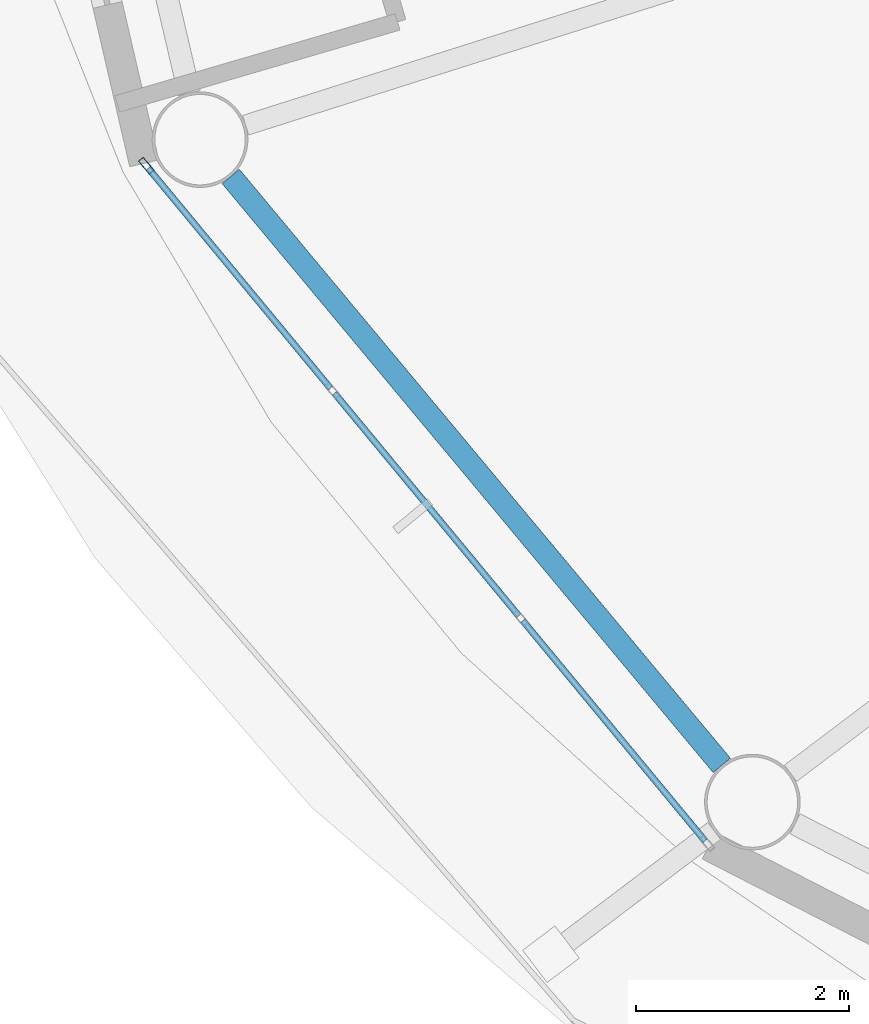
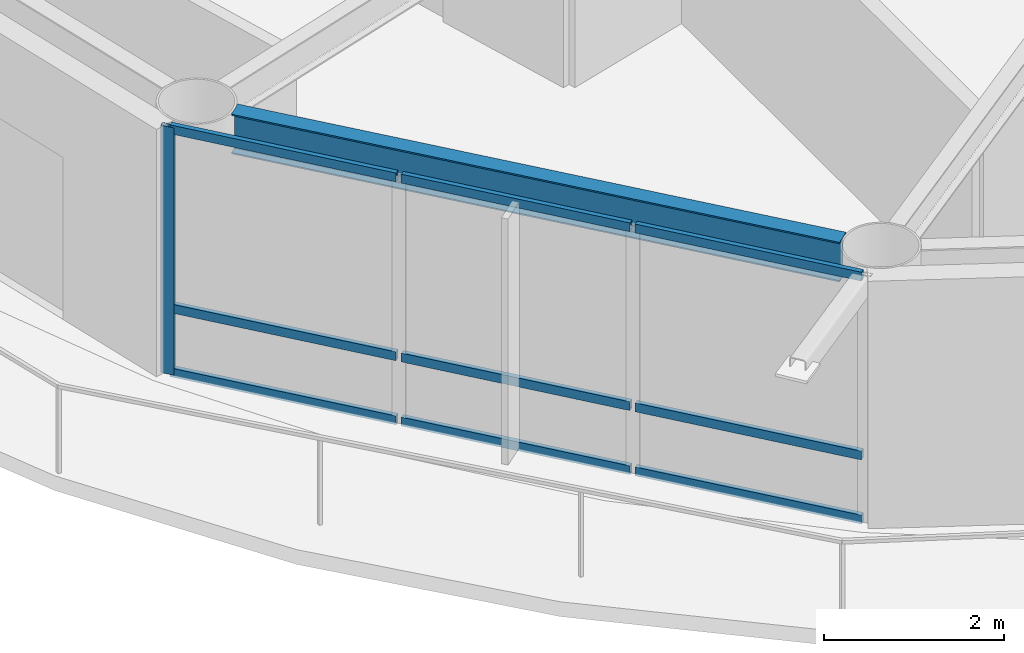
# One storey, part 3 of 23: 10 members, 1 beam, 1 element without a shape of its own.
"""IFC4 building model written with IfcOpenShell, lengths in metres."""

from ifc_helpers import new_model, si_unit, direction, frame, origin, origin_2d, place, context, subcontext, project, spatial, hollow_rectangle, i_section, extrude, material, layer, layer_set, material_profile, profile_set, type_object, element, aggregate, save


model = new_model("IFC4")

# Units and contexts
model_context = context("Model", 3, precision=1e-05, world=origin(), true_north=direction((0.0, 1.0)))
body_context = subcontext(model_context, "Body", "Model", "MODEL_VIEW")
ifc_project = project(units=[si_unit("LENGTHUNIT", "METRE"), si_unit("AREAUNIT", "SQUARE_METRE"), si_unit("VOLUMEUNIT", "CUBIC_METRE"), si_unit("PLANEANGLEUNIT", "RADIAN"), si_unit("MASSUNIT", "GRAM", prefix="KILO")], contexts=[model_context])

# Site, building, storey
site_placement = place(None, origin())
site = spatial("IfcSite", under=ifc_project, at=site_placement, CompositionType="ELEMENT")
building_placement = place(site_placement, origin())
building = spatial("IfcBuilding", under=site, at=building_placement, Name="Sarneth Arch Tower", CompositionType="ELEMENT")
storey_placement = place(building_placement, frame((0.0, 0.0, 231.60009765625)))
storey = spatial("IfcBuildingStorey", under=building, at=storey_placement, Name="L59", CompositionType="ELEMENT", Elevation=231.60009765625)

# Beam
ifc_material_1 = material(Name="Steel S355", Category="steel")
ifc_material_profile_1 = material_profile(ifc_material_1, i_section(OverallWidth=0.2109375, OverallDepth=0.5390625, WebThickness=0.01171875, FlangeThickness=0.018798828125, FilletRadius=0.01806640625, at=origin_2d()), Name="W530x109")
ifc_profile_set_1 = profile_set([ifc_material_profile_1], Name="Steel S355")
beam_type = type_object("IfcBeamType", Name="BM-RAD-530B", PredefinedType="BEAM", material=ifc_profile_set_1)
beam_placement = place(storey_placement, frame((25.119384765625, 34.306884765625, 3.09033203125), z_axis=(0.640390876881, -0.768049168222, 0.0), x_axis=(0.768049168222, 0.640390876881, 0.0)))
element("IfcBeam", 1, at=beam_placement, inside=storey, type_object=beam_type, Name="L59 Perimeter spandrel beam 10", PredefinedType="BEAM", context=body_context, shape_type="SweptSolid", body=[
    extrude(i_section(OverallWidth=0.2109375, OverallDepth=0.5390625, WebThickness=0.01171875, FlangeThickness=0.018798828125, FilletRadius=0.01806640625, at=origin_2d()), origin(), (0.0, 0.0, 1.0), 7.2099609375),
])

# Curtain wall, members
ifc_material_2 = material(Name="Anodised aluminium Type AA25 and solar-control low-e laminated IGU", Category="aluminium")
ifc_layer = layer(ifc_material_2, 0.179931640625)
ifc_layer_set = layer_set([ifc_layer], Name="Anodised aluminium Type AA25 and solar-control low-e laminated IGU")
curtain_wall_type = type_object("IfcCurtainWallType", Name="CW-RES-HIGH", PredefinedType="NOTDEFINED", material=ifc_layer_set)
curtain_wall_placement = place(storey_placement, origin())
curtain_wall = element("IfcCurtainWall", 2, at=curtain_wall_placement, inside=storey, type_object=curtain_wall_type, Name="L59 Unitised curtain wall facet 10", PredefinedType="NOTDEFINED")
ifc_material_3 = material(Name="Anodised Aluminium 6063-T6", Category="aluminium")
ifc_material_profile_2 = material_profile(ifc_material_3, hollow_rectangle(XDim=0.06005859375, YDim=0.159912109375, WallThickness=0.00390625, at=origin_2d()), Name="AL-MULL-160x60x4")
ifc_profile_set_2 = profile_set([ifc_material_profile_2], Name="Anodised Aluminium 6063-T6")
member_type_1 = type_object("IfcMemberType", Name="CW-MULLION", PredefinedType="MULLION", material=ifc_profile_set_2)
member_1_placement = place(storey_placement, frame((24.325439453125, 34.407470703125, 0.0), z_axis=(0.0, 0.0, 1.0), x_axis=(0.770359245933, 0.637610094184, 0.0)))
member_1 = element("IfcMember", 3, at=member_1_placement, type_object=member_type_1, Name="CW-SYS-6 mullion 1", PredefinedType="MULLION", context=body_context, shape_type="SweptSolid", body=[
    extrude(hollow_rectangle(XDim=0.06005859375, YDim=0.159912109375, WallThickness=0.00390625, at=origin_2d()), origin(), (0.0, 0.0, 1.0), 3.35986328125),
])
ifc_material_4 = material(Name="Anodised Aluminium 6063-T6", Category="aluminium")
ifc_material_profile_3 = material_profile(ifc_material_4, hollow_rectangle(XDim=0.06005859375, YDim=0.1201171875, WallThickness=0.00390625, at=origin_2d()), Name="AL-TRAN-120x60x4")
ifc_profile_set_3 = profile_set([ifc_material_profile_3], Name="Anodised Aluminium 6063-T6")
member_type_2 = type_object("IfcMemberType", Name="CW-TRANSOM", PredefinedType="USERDEFINED", material=ifc_profile_set_3)
member_2_placement = place(storey_placement, frame((24.344482421875, 34.38427734375, 0.02978515625), z_axis=(0.637651400067, -0.770325056059, 0.0), x_axis=(0.770325056059, 0.637651400067, 0.0)))
member_2 = element("IfcMember", 4, at=member_2_placement, type_object=member_type_2, Name="CW-SYS-6 transom 1.1", ObjectType="TRANSOM", PredefinedType="USERDEFINED", context=body_context, shape_type="SweptSolid", body=[
    extrude(hollow_rectangle(XDim=0.06005859375, YDim=0.1201171875, WallThickness=0.00390625, at=origin_2d()), origin(), (0.0, 0.0, 1.0), 2.6865234375),
])
member_3_placement = place(storey_placement, frame((24.344482421875, 34.38427734375, 0.89990234375), z_axis=(0.637651400067, -0.770325056059, 0.0), x_axis=(0.770325056059, 0.637651400067, 0.0)))
member_3 = element("IfcMember", 5, at=member_3_placement, type_object=member_type_2, Name="CW-SYS-6 transom 1.2", ObjectType="TRANSOM", PredefinedType="USERDEFINED", context=body_context, shape_type="SweptSolid", body=[
    extrude(hollow_rectangle(XDim=0.06005859375, YDim=0.1201171875, WallThickness=0.00390625, at=origin_2d()), origin(), (0.0, 0.0, 1.0), 2.6865234375),
])
member_4_placement = place(storey_placement, frame((24.344482421875, 34.38427734375, 3.329833984375), z_axis=(0.637651400067, -0.770325056059, 0.0), x_axis=(0.770325056059, 0.637651400067, 0.0)))
member_4 = element("IfcMember", 6, at=member_4_placement, type_object=member_type_2, Name="CW-SYS-6 transom 1.3", ObjectType="TRANSOM", PredefinedType="USERDEFINED", context=body_context, shape_type="SweptSolid", body=[
    extrude(hollow_rectangle(XDim=0.06005859375, YDim=0.1201171875, WallThickness=0.00390625, at=origin_2d()), origin(), (0.0, 0.0, 1.0), 2.6865234375),
])
member_5_placement = place(storey_placement, frame((26.095703125, 32.268310546875, 0.02978515625), z_axis=(0.637617371902, -0.770353222261, 0.0), x_axis=(0.770353222261, 0.637617371902, 0.0)))
member_5 = element("IfcMember", 7, at=member_5_placement, type_object=member_type_2, Name="CW-SYS-6 transom 2.1", ObjectType="TRANSOM", PredefinedType="USERDEFINED", context=body_context, shape_type="SweptSolid", body=[
    extrude(hollow_rectangle(XDim=0.06005859375, YDim=0.1201171875, WallThickness=0.00390625, at=origin_2d()), origin(), (0.0, 0.0, 1.0), 2.716552734375),
])
member_6_placement = place(storey_placement, frame((26.095703125, 32.268310546875, 0.89990234375), z_axis=(0.637617371902, -0.770353222261, 0.0), x_axis=(0.770353222261, 0.637617371902, 0.0)))
member_6 = element("IfcMember", 8, at=member_6_placement, type_object=member_type_2, Name="CW-SYS-6 transom 2.2", ObjectType="TRANSOM", PredefinedType="USERDEFINED", context=body_context, shape_type="SweptSolid", body=[
    extrude(hollow_rectangle(XDim=0.06005859375, YDim=0.1201171875, WallThickness=0.00390625, at=origin_2d()), origin(), (0.0, 0.0, 1.0), 2.716552734375),
])
member_7_placement = place(storey_placement, frame((26.095703125, 32.268310546875, 3.329833984375), z_axis=(0.637617371902, -0.770353222261, 0.0), x_axis=(0.770353222261, 0.637617371902, 0.0)))
member_7 = element("IfcMember", 9, at=member_7_placement, type_object=member_type_2, Name="CW-SYS-6 transom 2.3", ObjectType="TRANSOM", PredefinedType="USERDEFINED", context=body_context, shape_type="SweptSolid", body=[
    extrude(hollow_rectangle(XDim=0.06005859375, YDim=0.1201171875, WallThickness=0.00390625, at=origin_2d()), origin(), (0.0, 0.0, 1.0), 2.716552734375),
])
member_8_placement = place(storey_placement, frame((27.8662109375, 30.12939453125, 0.02978515625), z_axis=(0.637606765719, -0.770362000821, 0.0), x_axis=(0.770362000821, 0.637606765719, 0.0)))
member_8 = element("IfcMember", 10, at=member_8_placement, type_object=member_type_2, Name="CW-SYS-6 transom 3.1", ObjectType="TRANSOM", PredefinedType="USERDEFINED", context=body_context, shape_type="SweptSolid", body=[
    extrude(hollow_rectangle(XDim=0.06005859375, YDim=0.1201171875, WallThickness=0.00390625, at=origin_2d()), origin(), (0.0, 0.0, 1.0), 2.686767578125),
])
member_9_placement = place(storey_placement, frame((27.8662109375, 30.12939453125, 0.89990234375), z_axis=(0.637606765719, -0.770362000821, 0.0), x_axis=(0.770362000821, 0.637606765719, 0.0)))
member_9 = element("IfcMember", 11, at=member_9_placement, type_object=member_type_2, Name="CW-SYS-6 transom 3.2", ObjectType="TRANSOM", PredefinedType="USERDEFINED", context=body_context, shape_type="SweptSolid", body=[
    extrude(hollow_rectangle(XDim=0.06005859375, YDim=0.1201171875, WallThickness=0.00390625, at=origin_2d()), origin(), (0.0, 0.0, 1.0), 2.686767578125),
])
member_10_placement = place(storey_placement, frame((27.8662109375, 30.12939453125, 3.329833984375), z_axis=(0.637606765719, -0.770362000821, 0.0), x_axis=(0.770362000821, 0.637606765719, 0.0)))
member_10 = element("IfcMember", 12, at=member_10_placement, type_object=member_type_2, Name="CW-SYS-6 transom 3.3", ObjectType="TRANSOM", PredefinedType="USERDEFINED", context=body_context, shape_type="SweptSolid", body=[
    extrude(hollow_rectangle(XDim=0.06005859375, YDim=0.1201171875, WallThickness=0.00390625, at=origin_2d()), origin(), (0.0, 0.0, 1.0), 2.686767578125),
])
aggregate(curtain_wall, [member_1, member_2, member_3, member_4, member_5, member_6, member_7, member_8, member_9, member_10])

save(model, "model.ifc")
